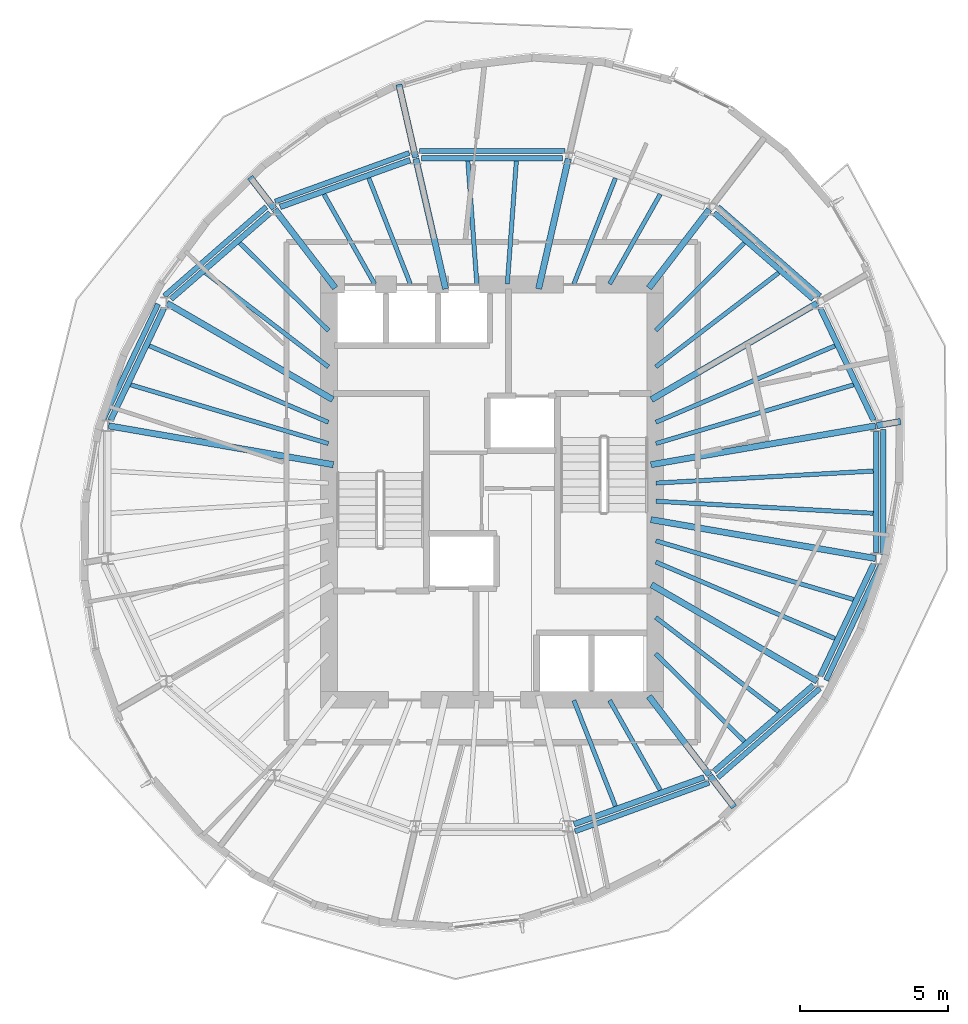
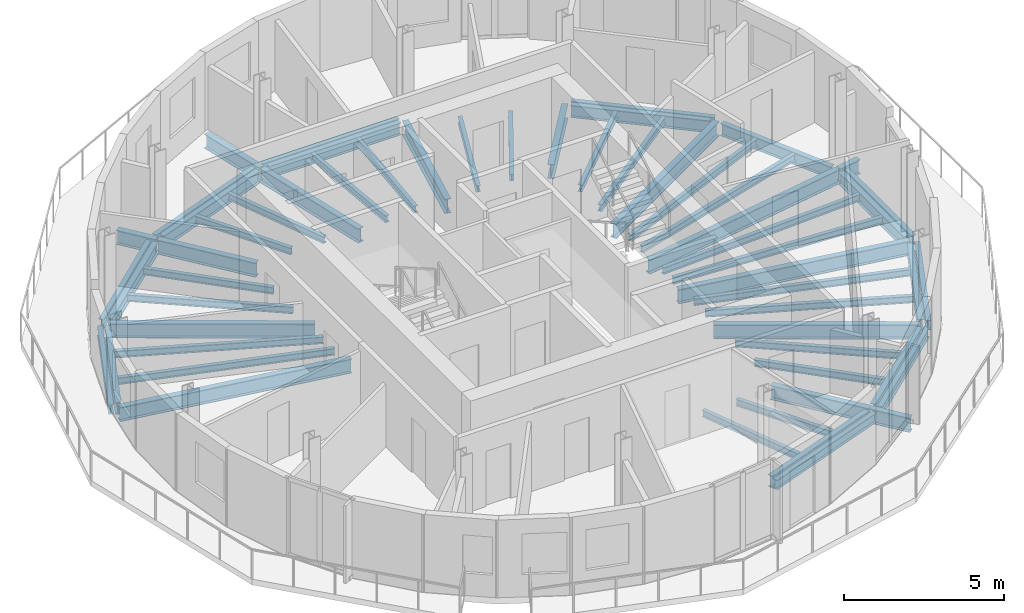
# One storey, part 2 of 9: 56 beams.
"""IFC4 building model written with IfcOpenShell, lengths in metres."""

from ifc_helpers import new_model, si_unit, direction, frame, origin, origin_2d, place, context, subcontext, project, spatial, i_section, extrude, material, material_profile, profile_set, type_object, element, save


model = new_model("IFC4")

# Units and contexts
model_context = context("Model", 3, precision=1e-05, world=origin(), true_north=direction((0.0, 1.0)))
body_context = subcontext(model_context, "Body", "Model", "MODEL_VIEW")
ifc_project = project(units=[si_unit("LENGTHUNIT", "METRE"), si_unit("AREAUNIT", "SQUARE_METRE"), si_unit("VOLUMEUNIT", "CUBIC_METRE"), si_unit("PLANEANGLEUNIT", "RADIAN"), si_unit("MASSUNIT", "GRAM", prefix="KILO")], contexts=[model_context])

# Site, building, storey
site_placement = place(None, origin())
site = spatial("IfcSite", under=ifc_project, at=site_placement, CompositionType="ELEMENT")
building_placement = place(site_placement, origin())
building = spatial("IfcBuilding", under=site, at=building_placement, Name="Veldorim Arch Residences", CompositionType="ELEMENT")
storey_placement = place(building_placement, frame((0.0, 0.0, 233.43994140625)))
storey = spatial("IfcBuildingStorey", under=building, at=storey_placement, Name="L70", CompositionType="ELEMENT", Elevation=233.43994140625)

# Beams
ifc_material_1 = material(Name="Steel S355", Category="steel")
ifc_material_profile_1 = material_profile(ifc_material_1, i_section(OverallWidth=0.2119140625, OverallDepth=0.54443359375, WebThickness=0.0126953125, FlangeThickness=0.021240234375, at=origin_2d()), Name="UB533x210x122")
ifc_profile_set_1 = profile_set([ifc_material_profile_1], Name="Steel S355")
beam_type_1 = type_object("IfcBeamType", Name="Structural Steel Beam UB533x210x122", PredefinedType="BEAM", material=ifc_profile_set_1)
beam_1_placement = place(storey_placement, frame((37.352294921875, 24.92578125, -0.51220703125), z_axis=(0.985364974081, 0.170457818401, 0.0), x_axis=(-0.170457818401, 0.985364974081, 0.0)))
element("IfcBeam", 1, at=beam_1_placement, inside=storey, type_object=beam_type_1, Name="L70 radial floor girder 01", PredefinedType="BEAM", context=body_context, shape_type="SweptSolid", body=[
    extrude(i_section(OverallWidth=0.2119140625, OverallDepth=0.54443359375, WebThickness=0.0126953125, FlangeThickness=0.021240234375, at=origin_2d()), origin(), (0.0, 0.0, 1.0), 7.68701171875),
])
beam_2_placement = place(storey_placement, frame((44.966064453125, 26.242919921875, -0.51220703125), z_axis=(0.985345661769, 0.170569419394, 0.0), x_axis=(-0.170569419394, 0.985345661769, 0.0)))
element("IfcBeam", 2, at=beam_2_placement, inside=storey, type_object=beam_type_1, Name="L70 radial edge cantilever girder 01", PredefinedType="BEAM", context=body_context, shape_type="SweptSolid", body=[
    extrude(i_section(OverallWidth=0.2119140625, OverallDepth=0.54443359375, WebThickness=0.0126953125, FlangeThickness=0.021240234375, at=origin_2d()), origin(), (0.0, 0.0, 1.0), 0.814453125),
])
beam_3_placement = place(storey_placement, frame((37.370361328125, 27.12060546875, -0.51220703125), z_axis=(0.864595736304, 0.502468121142, 0.0), x_axis=(-0.502468121142, 0.864595736304, 0.0)))
element("IfcBeam", 3, at=beam_3_placement, inside=storey, type_object=beam_type_1, Name="L70 radial floor girder 02", PredefinedType="BEAM", context=body_context, shape_type="SweptSolid", body=[
    extrude(i_section(OverallWidth=0.2119140625, OverallDepth=0.54443359375, WebThickness=0.0126953125, FlangeThickness=0.021240234375, at=origin_2d()), origin(), (0.0, 0.0, 1.0), 6.462646484375),
])
beam_4_placement = place(storey_placement, frame((37.28662109375, 30.881103515625, -0.51220703125), z_axis=(0.609258442308, 0.792971721108, 0.0), x_axis=(-0.792971721108, 0.609258442308, 0.0)))
element("IfcBeam", 4, at=beam_4_placement, inside=storey, type_object=beam_type_1, Name="L70 radial floor girder 03", PredefinedType="BEAM", context=body_context, shape_type="SweptSolid", body=[
    extrude(i_section(OverallWidth=0.2119140625, OverallDepth=0.54443359375, WebThickness=0.0126953125, FlangeThickness=0.021240234375, at=origin_2d()), origin(), (0.0, 0.0, 1.0), 3.339599609375),
])
for number, where, z_axis, x_axis, name in (
    (5, (33.567626953125, 30.853759765625, -0.51220703125), (0.222952976993, 0.97482920045, 0.0), (-0.97482920045, 0.222952976993, 0.0), "L70 radial floor girder 04"),
    (6, (30.432373046875, 30.853759765625, -0.51220703125), (-0.222952976993, 0.97482920045, 0.0), (-0.97482920045, -0.222952976993, 0.0), "L70 radial floor girder 05"),
):
    element("IfcBeam", number, at=place(storey_placement, frame(where, z_axis=z_axis, x_axis=x_axis)), inside=storey, type_object=beam_type_1, Name=name, PredefinedType="BEAM", context=body_context, shape_type="SweptSolid", body=[
        extrude(i_section(OverallWidth=0.2119140625, OverallDepth=0.54443359375, WebThickness=0.0126953125, FlangeThickness=0.021240234375, at=origin_2d()), origin(), (0.0, 0.0, 1.0), 4.49951171875),
    ])
beam_5_placement = place(storey_placement, frame((29.42041015625, 35.27880859375, -0.51220703125), z_axis=(-0.222961198563, 0.97482732006, 0.0), x_axis=(-0.97482732006, -0.222961198563, 0.0)))
element("IfcBeam", 7, at=beam_5_placement, inside=storey, type_object=beam_type_1, Name="L70 radial edge cantilever girder 05", PredefinedType="BEAM", context=body_context, shape_type="SweptSolid", body=[
    extrude(i_section(OverallWidth=0.2119140625, OverallDepth=0.54443359375, WebThickness=0.0126953125, FlangeThickness=0.021240234375, at=origin_2d()), origin(), (0.0, 0.0, 1.0), 2.52734375),
])
beam_6_placement = place(storey_placement, frame((26.71337890625, 30.881103515625, -0.51220703125), z_axis=(-0.609258442308, 0.792971721108, 0.0), x_axis=(-0.792971721108, -0.609258442308, 0.0)))
element("IfcBeam", 8, at=beam_6_placement, inside=storey, type_object=beam_type_1, Name="L70 radial floor girder 06", PredefinedType="BEAM", context=body_context, shape_type="SweptSolid", body=[
    extrude(i_section(OverallWidth=0.2119140625, OverallDepth=0.54443359375, WebThickness=0.0126953125, FlangeThickness=0.021240234375, at=origin_2d()), origin(), (0.0, 0.0, 1.0), 3.339599609375),
])
beam_7_placement = place(storey_placement, frame((24.654296875, 33.561279296875, -0.51220703125), z_axis=(-0.609258771795, 0.792971467955, 0.0), x_axis=(-0.792971467955, -0.609258771795, 0.0)))
element("IfcBeam", 9, at=beam_7_placement, inside=storey, type_object=beam_type_1, Name="L70 radial edge cantilever girder 06", PredefinedType="BEAM", context=body_context, shape_type="SweptSolid", body=[
    extrude(i_section(OverallWidth=0.2119140625, OverallDepth=0.54443359375, WebThickness=0.0126953125, FlangeThickness=0.021240234375, at=origin_2d()), origin(), (0.0, 0.0, 1.0), 1.33154296875),
])
beam_8_placement = place(storey_placement, frame((26.629638671875, 27.12060546875, -0.51220703125), z_axis=(-0.864595736304, 0.502468121142, 0.0), x_axis=(-0.502468121142, -0.864595736304, 0.0)))
element("IfcBeam", 10, at=beam_8_placement, inside=storey, type_object=beam_type_1, Name="L70 radial floor girder 07", PredefinedType="BEAM", context=body_context, shape_type="SweptSolid", body=[
    extrude(i_section(OverallWidth=0.2119140625, OverallDepth=0.54443359375, WebThickness=0.0126953125, FlangeThickness=0.021240234375, at=origin_2d()), origin(), (0.0, 0.0, 1.0), 6.462646484375),
])
beam_9_placement = place(storey_placement, frame((26.647705078125, 24.92578125, -0.51220703125), z_axis=(-0.985364974081, 0.170457818401, 0.0), x_axis=(-0.170457818401, -0.985364974081, 0.0)))
element("IfcBeam", 11, at=beam_9_placement, inside=storey, type_object=beam_type_1, Name="L70 radial floor girder 08", PredefinedType="BEAM", context=body_context, shape_type="SweptSolid", body=[
    extrude(i_section(OverallWidth=0.2119140625, OverallDepth=0.54443359375, WebThickness=0.0126953125, FlangeThickness=0.021240234375, at=origin_2d()), origin(), (0.0, 0.0, 1.0), 7.68701171875),
])
beam_10_placement = place(storey_placement, frame((37.28662109375, 17.118896484375, -0.51220703125), z_axis=(0.609258442308, -0.792971721108, 0.0), x_axis=(0.792971721108, 0.609258442308, 0.0)))
element("IfcBeam", 12, at=beam_10_placement, inside=storey, type_object=beam_type_1, Name="L70 radial floor girder 14", PredefinedType="BEAM", context=body_context, shape_type="SweptSolid", body=[
    extrude(i_section(OverallWidth=0.2119140625, OverallDepth=0.54443359375, WebThickness=0.0126953125, FlangeThickness=0.021240234375, at=origin_2d()), origin(), (0.0, 0.0, 1.0), 3.339599609375),
])
beam_11_placement = place(storey_placement, frame((39.345703125, 14.438720703125, -0.51220703125), z_axis=(0.609258771795, -0.792971467955, 0.0), x_axis=(0.792971467955, 0.609258771795, 0.0)))
element("IfcBeam", 13, at=beam_11_placement, inside=storey, type_object=beam_type_1, Name="L70 radial edge cantilever girder 14", PredefinedType="BEAM", context=body_context, shape_type="SweptSolid", body=[
    extrude(i_section(OverallWidth=0.2119140625, OverallDepth=0.54443359375, WebThickness=0.0126953125, FlangeThickness=0.021240234375, at=origin_2d()), origin(), (0.0, 0.0, 1.0), 1.33154296875),
])
beam_12_placement = place(storey_placement, frame((37.370361328125, 20.87939453125, -0.51220703125), z_axis=(0.864595736304, -0.502468121142, 0.0), x_axis=(0.502468121142, 0.864595736304, 0.0)))
element("IfcBeam", 14, at=beam_12_placement, inside=storey, type_object=beam_type_1, Name="L70 radial floor girder 15", PredefinedType="BEAM", context=body_context, shape_type="SweptSolid", body=[
    extrude(i_section(OverallWidth=0.2119140625, OverallDepth=0.54443359375, WebThickness=0.0126953125, FlangeThickness=0.021240234375, at=origin_2d()), origin(), (0.0, 0.0, 1.0), 6.462646484375),
])
beam_13_placement = place(storey_placement, frame((37.352294921875, 23.07421875, -0.51220703125), z_axis=(0.985364974081, -0.170457818401, 0.0), x_axis=(0.170457818401, 0.985364974081, 0.0)))
element("IfcBeam", 15, at=beam_13_placement, inside=storey, type_object=beam_type_1, Name="L70 radial floor girder 16", PredefinedType="BEAM", context=body_context, shape_type="SweptSolid", body=[
    extrude(i_section(OverallWidth=0.2119140625, OverallDepth=0.54443359375, WebThickness=0.0126953125, FlangeThickness=0.021240234375, at=origin_2d()), origin(), (0.0, 0.0, 1.0), 7.68701171875),
])
ifc_material_2 = material(Name="Steel S355", Category="steel")
ifc_material_profile_2 = material_profile(ifc_material_2, i_section(OverallWidth=0.146484375, OverallDepth=0.256103515625, WebThickness=0.00634765625, FlangeThickness=0.010986328125, at=origin_2d()), Name="UB254x146x37")
ifc_profile_set_2 = profile_set([ifc_material_profile_2], Name="Steel S355")
beam_type_2 = type_object("IfcBeamType", Name="Structural Steel Joist UB254x146x37", PredefinedType="JOIST", material=ifc_profile_set_2)
beam_14_placement = place(storey_placement, frame((37.519287109375, 25.639404296875, -0.367919921875), z_axis=(0.958594432792, 0.284774846889, 0.0), x_axis=(-0.284774846889, 0.958594432792, 0.0)))
element("IfcBeam", 16, at=beam_14_placement, inside=storey, type_object=beam_type_2, Name="L70 secondary radial floor joist 01-1", PredefinedType="JOIST", context=body_context, shape_type="SweptSolid", body=[
    extrude(i_section(OverallWidth=0.146484375, OverallDepth=0.256103515625, WebThickness=0.00634765625, FlangeThickness=0.010986328125, at=origin_2d()), origin(), (0.0, 0.0, 1.0), 6.949462890625),
])
beam_15_placement = place(storey_placement, frame((37.518310546875, 26.355712890625, -0.367919921875), z_axis=(0.919725161652, 0.392562895629, 0.0), x_axis=(-0.392562895629, 0.919725161652, 0.0)))
element("IfcBeam", 17, at=beam_15_placement, inside=storey, type_object=beam_type_2, Name="L70 secondary radial floor joist 01-2", PredefinedType="JOIST", context=body_context, shape_type="SweptSolid", body=[
    extrude(i_section(OverallWidth=0.146484375, OverallDepth=0.256103515625, WebThickness=0.00634765625, FlangeThickness=0.010986328125, at=origin_2d()), origin(), (0.0, 0.0, 1.0), 6.5625),
])
beam_16_placement = place(storey_placement, frame((37.515869140625, 28.222900390625, -0.367919921875), z_axis=(0.794013672216, 0.607899899929, 0.0), x_axis=(-0.607899899929, 0.794013672216, 0.0)))
element("IfcBeam", 18, at=beam_16_placement, inside=storey, type_object=beam_type_2, Name="L70 secondary radial floor joist 02-1", PredefinedType="JOIST", context=body_context, shape_type="SweptSolid", body=[
    extrude(i_section(OverallWidth=0.146484375, OverallDepth=0.256103515625, WebThickness=0.00634765625, FlangeThickness=0.010986328125, at=origin_2d()), origin(), (0.0, 0.0, 1.0), 5.217041015625),
])
beam_17_placement = place(storey_placement, frame((37.51416015625, 29.44775390625, -0.367919921875), z_axis=(0.711396725432, 0.702790650937, 0.0), x_axis=(-0.702790650937, 0.711396725432, 0.0)))
element("IfcBeam", 19, at=beam_17_placement, inside=storey, type_object=beam_type_2, Name="L70 secondary radial floor joist 02-2", PredefinedType="JOIST", context=body_context, shape_type="SweptSolid", body=[
    extrude(i_section(OverallWidth=0.146484375, OverallDepth=0.256103515625, WebThickness=0.00634765625, FlangeThickness=0.010986328125, at=origin_2d()), origin(), (0.0, 0.0, 1.0), 4.198486328125),
])
beam_18_placement = place(storey_placement, frame((35.960205078125, 31.017333984375, -0.367919921875), z_axis=(0.491452469585, 0.870904397818, 0.0), x_axis=(-0.870904397818, 0.491452469585, 0.0)))
element("IfcBeam", 20, at=beam_18_placement, inside=storey, type_object=beam_type_2, Name="L70 secondary radial floor joist 03-1", PredefinedType="JOIST", context=body_context, shape_type="SweptSolid", body=[
    extrude(i_section(OverallWidth=0.146484375, OverallDepth=0.256103515625, WebThickness=0.00634765625, FlangeThickness=0.010986328125, at=origin_2d()), origin(), (0.0, 0.0, 1.0), 3.472412109375),
])
beam_19_placement = place(storey_placement, frame((34.75634765625, 31.0185546875, -0.367919921875), z_axis=(0.365581383042, 0.930779379001, 0.0), x_axis=(-0.930779379001, 0.365581383042, 0.0)))
element("IfcBeam", 21, at=beam_19_placement, inside=storey, type_object=beam_type_2, Name="L70 secondary radial floor joist 03-2", PredefinedType="JOIST", context=body_context, shape_type="SweptSolid", body=[
    extrude(i_section(OverallWidth=0.146484375, OverallDepth=0.256103515625, WebThickness=0.00634765625, FlangeThickness=0.010986328125, at=origin_2d()), origin(), (0.0, 0.0, 1.0), 3.83056640625),
])
for number, where, z_axis, x_axis, name in (
    (22, (32.513916015625, 31.02001953125, -0.367919921875), (0.072985625899, 0.997332992742, 0.0), (-0.997332992742, 0.072985625899, 0.0), "L70 secondary radial floor joist 04-1"),
    (23, (31.486083984375, 31.02001953125, -0.367919921875), (-0.072985625899, 0.997332992742, 0.0), (-0.997332992742, -0.072985625899, 0.0), "L70 secondary radial floor joist 04-2"),
):
    element("IfcBeam", number, at=place(storey_placement, frame(where, z_axis=z_axis, x_axis=x_axis)), inside=storey, type_object=beam_type_2, Name=name, PredefinedType="JOIST", context=body_context, shape_type="SweptSolid", body=[
        extrude(i_section(OverallWidth=0.146484375, OverallDepth=0.256103515625, WebThickness=0.00634765625, FlangeThickness=0.010986328125, at=origin_2d()), origin(), (0.0, 0.0, 1.0), 4.151123046875),
    ])
beam_20_placement = place(storey_placement, frame((29.24365234375, 31.0185546875, -0.367919921875), z_axis=(-0.365581383042, 0.930779379001, 0.0), x_axis=(-0.930779379001, -0.365581383042, 0.0)))
element("IfcBeam", 24, at=beam_20_placement, inside=storey, type_object=beam_type_2, Name="L70 secondary radial floor joist 05-1", PredefinedType="JOIST", context=body_context, shape_type="SweptSolid", body=[
    extrude(i_section(OverallWidth=0.146484375, OverallDepth=0.256103515625, WebThickness=0.00634765625, FlangeThickness=0.010986328125, at=origin_2d()), origin(), (0.0, 0.0, 1.0), 3.83056640625),
])
beam_21_placement = place(storey_placement, frame((28.039794921875, 31.017333984375, -0.367919921875), z_axis=(-0.491452469585, 0.870904397818, 0.0), x_axis=(-0.870904397818, -0.491452469585, 0.0)))
element("IfcBeam", 25, at=beam_21_placement, inside=storey, type_object=beam_type_2, Name="L70 secondary radial floor joist 05-2", PredefinedType="JOIST", context=body_context, shape_type="SweptSolid", body=[
    extrude(i_section(OverallWidth=0.146484375, OverallDepth=0.256103515625, WebThickness=0.00634765625, FlangeThickness=0.010986328125, at=origin_2d()), origin(), (0.0, 0.0, 1.0), 3.472412109375),
])
beam_22_placement = place(storey_placement, frame((26.48583984375, 29.44775390625, -0.367919921875), z_axis=(-0.711396725432, 0.702790650937, 0.0), x_axis=(-0.702790650937, -0.711396725432, 0.0)))
element("IfcBeam", 26, at=beam_22_placement, inside=storey, type_object=beam_type_2, Name="L70 secondary radial floor joist 06-1", PredefinedType="JOIST", context=body_context, shape_type="SweptSolid", body=[
    extrude(i_section(OverallWidth=0.146484375, OverallDepth=0.256103515625, WebThickness=0.00634765625, FlangeThickness=0.010986328125, at=origin_2d()), origin(), (0.0, 0.0, 1.0), 4.198486328125),
])
beam_23_placement = place(storey_placement, frame((26.484130859375, 28.222900390625, -0.367919921875), z_axis=(-0.794013672216, 0.607899899929, 0.0), x_axis=(-0.607899899929, -0.794013672216, 0.0)))
element("IfcBeam", 27, at=beam_23_placement, inside=storey, type_object=beam_type_2, Name="L70 secondary radial floor joist 06-2", PredefinedType="JOIST", context=body_context, shape_type="SweptSolid", body=[
    extrude(i_section(OverallWidth=0.146484375, OverallDepth=0.256103515625, WebThickness=0.00634765625, FlangeThickness=0.010986328125, at=origin_2d()), origin(), (0.0, 0.0, 1.0), 5.217041015625),
])
beam_24_placement = place(storey_placement, frame((26.481689453125, 26.355712890625, -0.367919921875), z_axis=(-0.919725161652, 0.392562895629, 0.0), x_axis=(-0.392562895629, -0.919725161652, 0.0)))
element("IfcBeam", 28, at=beam_24_placement, inside=storey, type_object=beam_type_2, Name="L70 secondary radial floor joist 07-1", PredefinedType="JOIST", context=body_context, shape_type="SweptSolid", body=[
    extrude(i_section(OverallWidth=0.146484375, OverallDepth=0.256103515625, WebThickness=0.00634765625, FlangeThickness=0.010986328125, at=origin_2d()), origin(), (0.0, 0.0, 1.0), 6.5625),
])
beam_25_placement = place(storey_placement, frame((26.480712890625, 25.639404296875, -0.367919921875), z_axis=(-0.958594432792, 0.284774846889, 0.0), x_axis=(-0.284774846889, -0.958594432792, 0.0)))
element("IfcBeam", 29, at=beam_25_placement, inside=storey, type_object=beam_type_2, Name="L70 secondary radial floor joist 07-2", PredefinedType="JOIST", context=body_context, shape_type="SweptSolid", body=[
    extrude(i_section(OverallWidth=0.146484375, OverallDepth=0.256103515625, WebThickness=0.00634765625, FlangeThickness=0.010986328125, at=origin_2d()), origin(), (0.0, 0.0, 1.0), 6.949462890625),
])
beam_26_placement = place(storey_placement, frame((34.75634765625, 16.9814453125, -0.367919921875), z_axis=(0.365581383042, -0.930779379001, 0.0), x_axis=(0.930779379001, 0.365581383042, 0.0)))
element("IfcBeam", 30, at=beam_26_placement, inside=storey, type_object=beam_type_2, Name="L70 secondary radial floor joist 13-1", PredefinedType="JOIST", context=body_context, shape_type="SweptSolid", body=[
    extrude(i_section(OverallWidth=0.146484375, OverallDepth=0.256103515625, WebThickness=0.00634765625, FlangeThickness=0.010986328125, at=origin_2d()), origin(), (0.0, 0.0, 1.0), 3.83056640625),
])
beam_27_placement = place(storey_placement, frame((35.960205078125, 16.982666015625, -0.367919921875), z_axis=(0.491452469585, -0.870904397818, 0.0), x_axis=(0.870904397818, 0.491452469585, 0.0)))
element("IfcBeam", 31, at=beam_27_placement, inside=storey, type_object=beam_type_2, Name="L70 secondary radial floor joist 13-2", PredefinedType="JOIST", context=body_context, shape_type="SweptSolid", body=[
    extrude(i_section(OverallWidth=0.146484375, OverallDepth=0.256103515625, WebThickness=0.00634765625, FlangeThickness=0.010986328125, at=origin_2d()), origin(), (0.0, 0.0, 1.0), 3.472412109375),
])
beam_28_placement = place(storey_placement, frame((37.51416015625, 18.55224609375, -0.367919921875), z_axis=(0.711396725432, -0.702790650937, 0.0), x_axis=(0.702790650937, 0.711396725432, 0.0)))
element("IfcBeam", 32, at=beam_28_placement, inside=storey, type_object=beam_type_2, Name="L70 secondary radial floor joist 14-1", PredefinedType="JOIST", context=body_context, shape_type="SweptSolid", body=[
    extrude(i_section(OverallWidth=0.146484375, OverallDepth=0.256103515625, WebThickness=0.00634765625, FlangeThickness=0.010986328125, at=origin_2d()), origin(), (0.0, 0.0, 1.0), 4.198486328125),
])
beam_29_placement = place(storey_placement, frame((37.515869140625, 19.777099609375, -0.367919921875), z_axis=(0.794013672216, -0.607899899929, 0.0), x_axis=(0.607899899929, 0.794013672216, 0.0)))
element("IfcBeam", 33, at=beam_29_placement, inside=storey, type_object=beam_type_2, Name="L70 secondary radial floor joist 14-2", PredefinedType="JOIST", context=body_context, shape_type="SweptSolid", body=[
    extrude(i_section(OverallWidth=0.146484375, OverallDepth=0.256103515625, WebThickness=0.00634765625, FlangeThickness=0.010986328125, at=origin_2d()), origin(), (0.0, 0.0, 1.0), 5.217041015625),
])
beam_30_placement = place(storey_placement, frame((37.518310546875, 21.644287109375, -0.367919921875), z_axis=(0.919725161652, -0.392562895629, 0.0), x_axis=(0.392562895629, 0.919725161652, 0.0)))
element("IfcBeam", 34, at=beam_30_placement, inside=storey, type_object=beam_type_2, Name="L70 secondary radial floor joist 15-1", PredefinedType="JOIST", context=body_context, shape_type="SweptSolid", body=[
    extrude(i_section(OverallWidth=0.146484375, OverallDepth=0.256103515625, WebThickness=0.00634765625, FlangeThickness=0.010986328125, at=origin_2d()), origin(), (0.0, 0.0, 1.0), 6.5625),
])
beam_31_placement = place(storey_placement, frame((37.519287109375, 22.360595703125, -0.367919921875), z_axis=(0.958594432792, -0.284774846889, 0.0), x_axis=(0.284774846889, 0.958594432792, 0.0)))
element("IfcBeam", 35, at=beam_31_placement, inside=storey, type_object=beam_type_2, Name="L70 secondary radial floor joist 15-2", PredefinedType="JOIST", context=body_context, shape_type="SweptSolid", body=[
    extrude(i_section(OverallWidth=0.146484375, OverallDepth=0.256103515625, WebThickness=0.00634765625, FlangeThickness=0.010986328125, at=origin_2d()), origin(), (0.0, 0.0, 1.0), 6.949462890625),
])
for number, where, z_axis, x_axis, name in (
    (36, (37.52001953125, 23.6943359375, -0.367919921875), (0.998472000884, -0.055259962464, 0.0), (0.055259962464, 0.998472000884, 0.0), "L70 secondary radial floor joist 16-1"),
    (37, (37.52001953125, 24.3056640625, -0.367919921875), (0.998472000884, 0.055259962464, 0.0), (-0.055259962464, 0.998472000884, 0.0), "L70 secondary radial floor joist 16-2"),
):
    element("IfcBeam", number, at=place(storey_placement, frame(where, z_axis=z_axis, x_axis=x_axis)), inside=storey, type_object=beam_type_2, Name=name, PredefinedType="JOIST", context=body_context, shape_type="SweptSolid", body=[
        extrude(i_section(OverallWidth=0.146484375, OverallDepth=0.256103515625, WebThickness=0.00634765625, FlangeThickness=0.010986328125, at=origin_2d()), origin(), (0.0, 0.0, 1.0), 7.33837890625),
    ])
ifc_material_3 = material(Name="Steel S355", Category="steel")
ifc_material_profile_3 = material_profile(ifc_material_3, i_section(OverallWidth=0.172119140625, OverallDepth=0.35791015625, WebThickness=0.008056640625, FlangeThickness=0.012939453125, at=origin_2d()), Name="UB356x171x57")
ifc_profile_set_3 = profile_set([ifc_material_profile_3], Name="Steel S355")
beam_type_3 = type_object("IfcBeamType", Name="Structural Steel Spandrel UB356x171x57", PredefinedType="SPANDREL", material=ifc_profile_set_3)
beam_32_placement = place(storey_placement, frame((43.05078125, 30.614013671875, -0.43896484375), z_axis=(-0.752901089301, 0.658133686821, 0.0), x_axis=(-0.658133686821, -0.752901089301, 0.0)))
element("IfcBeam", 38, at=beam_32_placement, inside=storey, type_object=beam_type_3, Name="L70 perimeter chord spandrel beam 02", PredefinedType="SPANDREL", context=body_context, shape_type="SweptSolid", body=[
    extrude(i_section(OverallWidth=0.172119140625, OverallDepth=0.35791015625, WebThickness=0.008056640625, FlangeThickness=0.012939453125, at=origin_2d()), origin(), (0.0, 0.0, 1.0), 4.567626953125),
])
beam_33_placement = place(storey_placement, frame((34.453125, 35.493408203125, -0.43896484375), z_axis=(-1.0, 0.0, 0.0), x_axis=(0.0, -1.0, 0.0)))
element("IfcBeam", 39, at=beam_33_placement, inside=storey, type_object=beam_type_3, Name="L70 perimeter chord spandrel beam 04", PredefinedType="SPANDREL", context=body_context, shape_type="SweptSolid", body=[
    extrude(i_section(OverallWidth=0.172119140625, OverallDepth=0.35791015625, WebThickness=0.008056640625, FlangeThickness=0.012939453125, at=origin_2d()), origin(), (0.0, 0.0, 1.0), 4.90625),
])
beam_34_placement = place(storey_placement, frame((29.206298828125, 35.43359375, -0.43896484375), z_axis=(-0.940181197783, -0.340674794099, 0.0), x_axis=(0.340674794099, -0.940181197783, 0.0)))
element("IfcBeam", 40, at=beam_34_placement, inside=storey, type_object=beam_type_3, Name="L70 perimeter chord spandrel beam 05", PredefinedType="SPANDREL", context=body_context, shape_type="SweptSolid", body=[
    extrude(i_section(OverallWidth=0.172119140625, OverallDepth=0.35791015625, WebThickness=0.008056640625, FlangeThickness=0.012939453125, at=origin_2d()), origin(), (0.0, 0.0, 1.0), 4.80859375),
])
beam_35_placement = place(storey_placement, frame((24.38818359375, 33.6201171875, -0.43896484375), z_axis=(-0.752901089301, -0.658133686821, 0.0), x_axis=(0.658133686821, -0.752901089301, 0.0)))
element("IfcBeam", 41, at=beam_35_placement, inside=storey, type_object=beam_type_3, Name="L70 perimeter chord spandrel beam 06", PredefinedType="SPANDREL", context=body_context, shape_type="SweptSolid", body=[
    extrude(i_section(OverallWidth=0.172119140625, OverallDepth=0.35791015625, WebThickness=0.008056640625, FlangeThickness=0.012939453125, at=origin_2d()), origin(), (0.0, 0.0, 1.0), 4.567626953125),
])
beam_36_placement = place(storey_placement, frame((20.741943359375, 30.33984375, -0.43896484375), z_axis=(-0.428453398876, -0.903563879862, 0.0), x_axis=(0.903563879862, -0.428453398876, 0.0)))
element("IfcBeam", 42, at=beam_36_placement, inside=storey, type_object=beam_type_3, Name="L70 perimeter chord spandrel beam 07", PredefinedType="SPANDREL", context=body_context, shape_type="SweptSolid", body=[
    extrude(i_section(OverallWidth=0.172119140625, OverallDepth=0.35791015625, WebThickness=0.008056640625, FlangeThickness=0.012939453125, at=origin_2d()), origin(), (0.0, 0.0, 1.0), 4.31689453125),
])
beam_37_placement = place(storey_placement, frame((34.793701171875, 12.56640625, -0.43896484375), z_axis=(0.940181197783, 0.340674794099, 0.0), x_axis=(-0.340674794099, 0.940181197783, 0.0)))
element("IfcBeam", 43, at=beam_37_placement, inside=storey, type_object=beam_type_3, Name="L70 perimeter chord spandrel beam 13", PredefinedType="SPANDREL", context=body_context, shape_type="SweptSolid", body=[
    extrude(i_section(OverallWidth=0.172119140625, OverallDepth=0.35791015625, WebThickness=0.008056640625, FlangeThickness=0.012939453125, at=origin_2d()), origin(), (0.0, 0.0, 1.0), 4.80859375),
])
beam_38_placement = place(storey_placement, frame((39.61181640625, 14.3798828125, -0.43896484375), z_axis=(0.752901089301, 0.658133686821, 0.0), x_axis=(-0.658133686821, 0.752901089301, 0.0)))
element("IfcBeam", 44, at=beam_38_placement, inside=storey, type_object=beam_type_3, Name="L70 perimeter chord spandrel beam 14", PredefinedType="SPANDREL", context=body_context, shape_type="SweptSolid", body=[
    extrude(i_section(OverallWidth=0.172119140625, OverallDepth=0.35791015625, WebThickness=0.008056640625, FlangeThickness=0.012939453125, at=origin_2d()), origin(), (0.0, 0.0, 1.0), 4.567626953125),
])
beam_39_placement = place(storey_placement, frame((43.258056640625, 17.66015625, -0.43896484375), z_axis=(0.428453398876, 0.903563879862, 0.0), x_axis=(-0.903563879862, 0.428453398876, 0.0)))
element("IfcBeam", 45, at=beam_39_placement, inside=storey, type_object=beam_type_3, Name="L70 perimeter chord spandrel beam 15", PredefinedType="SPANDREL", context=body_context, shape_type="SweptSolid", body=[
    extrude(i_section(OverallWidth=0.172119140625, OverallDepth=0.35791015625, WebThickness=0.008056640625, FlangeThickness=0.012939453125, at=origin_2d()), origin(), (0.0, 0.0, 1.0), 4.31689453125),
])
beam_40_placement = place(storey_placement, frame((45.182861328125, 21.89501953125, -0.43896484375), z_axis=(0.0, 1.0, 0.0), x_axis=(-1.0, 0.0, 0.0)))
element("IfcBeam", 46, at=beam_40_placement, inside=storey, type_object=beam_type_3, Name="L70 perimeter chord spandrel beam 16", PredefinedType="SPANDREL", context=body_context, shape_type="SweptSolid", body=[
    extrude(i_section(OverallWidth=0.172119140625, OverallDepth=0.35791015625, WebThickness=0.008056640625, FlangeThickness=0.012939453125, at=origin_2d()), origin(), (0.0, 0.0, 1.0), 4.2099609375),
])
ifc_material_4 = material(Name="Steel S355", Category="steel")
ifc_material_profile_4 = material_profile(ifc_material_4, i_section(OverallWidth=0.19140625, OverallDepth=0.4599609375, WebThickness=0.010009765625, FlangeThickness=0.01611328125, at=origin_2d()), Name="UB457x191x82")
ifc_profile_set_4 = profile_set([ifc_material_profile_4], Name="Steel S355")
beam_type_4 = type_object("IfcBeamType", Name="Structural Steel Spandrel UB457x191x82", PredefinedType="SPANDREL", material=ifc_profile_set_4)
beam_41_placement = place(storey_placement, frame((44.860595703125, 26.419677734375, -0.469970703125), z_axis=(-0.42997887291, 0.902838949564, 0.0), x_axis=(-0.902838949564, -0.42997887291, 0.0)))
element("IfcBeam", 47, at=beam_41_placement, inside=storey, type_object=beam_type_4, Name="L70 perimeter ring tie beam 01", PredefinedType="SPANDREL", context=body_context, shape_type="SweptSolid", body=[
    extrude(i_section(OverallWidth=0.19140625, OverallDepth=0.4599609375, WebThickness=0.010009765625, FlangeThickness=0.01611328125, at=origin_2d()), origin(), (0.0, 0.0, 1.0), 4.1845703125),
])
beam_42_placement = place(storey_placement, frame((42.824951171875, 30.5087890625, -0.469970703125), z_axis=(-0.754578219063, 0.656210112171, 0.0), x_axis=(-0.656210112171, -0.754578219063, 0.0)))
element("IfcBeam", 48, at=beam_42_placement, inside=storey, type_object=beam_type_4, Name="L70 perimeter ring tie beam 02", PredefinedType="SPANDREL", context=body_context, shape_type="SweptSolid", body=[
    extrude(i_section(OverallWidth=0.19140625, OverallDepth=0.4599609375, WebThickness=0.010009765625, FlangeThickness=0.01611328125, at=origin_2d()), origin(), (0.0, 0.0, 1.0), 4.427734375),
])
beam_43_placement = place(storey_placement, frame((34.375732421875, 35.259521484375, -0.469970703125), z_axis=(-1.0, 0.0, 0.0), x_axis=(0.0, -1.0, 0.0)))
element("IfcBeam", 49, at=beam_43_placement, inside=storey, type_object=beam_type_4, Name="L70 perimeter ring tie beam 04", PredefinedType="SPANDREL", context=body_context, shape_type="SweptSolid", body=[
    extrude(i_section(OverallWidth=0.19140625, OverallDepth=0.4599609375, WebThickness=0.010009765625, FlangeThickness=0.01611328125, at=origin_2d()), origin(), (0.0, 0.0, 1.0), 4.75146484375),
])
beam_44_placement = place(storey_placement, frame((29.237060546875, 35.19189453125, -0.469970703125), z_axis=(-0.940799194754, -0.338964415757, 0.0), x_axis=(0.338964415757, -0.940799194754, 0.0)))
element("IfcBeam", 50, at=beam_44_placement, inside=storey, type_object=beam_type_4, Name="L70 perimeter ring tie beam 05", PredefinedType="SPANDREL", context=body_context, shape_type="SweptSolid", body=[
    extrude(i_section(OverallWidth=0.19140625, OverallDepth=0.4599609375, WebThickness=0.010009765625, FlangeThickness=0.01611328125, at=origin_2d()), origin(), (0.0, 0.0, 1.0), 4.65869140625),
])
beam_45_placement = place(storey_placement, frame((24.51611328125, 33.414306640625, -0.469970703125), z_axis=(-0.754578219063, -0.656210112171, 0.0), x_axis=(0.656210112171, -0.754578219063, 0.0)))
element("IfcBeam", 51, at=beam_45_placement, inside=storey, type_object=beam_type_4, Name="L70 perimeter ring tie beam 06", PredefinedType="SPANDREL", context=body_context, shape_type="SweptSolid", body=[
    extrude(i_section(OverallWidth=0.19140625, OverallDepth=0.4599609375, WebThickness=0.010009765625, FlangeThickness=0.01611328125, at=origin_2d()), origin(), (0.0, 0.0, 1.0), 4.427734375),
])
beam_46_placement = place(storey_placement, frame((20.938720703125, 30.19775390625, -0.469970703125), z_axis=(-0.42997887291, -0.902838949564, 0.0), x_axis=(0.902838949564, -0.42997887291, 0.0)))
element("IfcBeam", 52, at=beam_46_placement, inside=storey, type_object=beam_type_4, Name="L70 perimeter ring tie beam 07", PredefinedType="SPANDREL", context=body_context, shape_type="SweptSolid", body=[
    extrude(i_section(OverallWidth=0.19140625, OverallDepth=0.4599609375, WebThickness=0.010009765625, FlangeThickness=0.01611328125, at=origin_2d()), origin(), (0.0, 0.0, 1.0), 4.1845703125),
])
beam_47_placement = place(storey_placement, frame((34.762939453125, 12.80810546875, -0.469970703125), z_axis=(0.940799194754, 0.338964415757, 0.0), x_axis=(-0.338964415757, 0.940799194754, 0.0)))
element("IfcBeam", 53, at=beam_47_placement, inside=storey, type_object=beam_type_4, Name="L70 perimeter ring tie beam 13", PredefinedType="SPANDREL", context=body_context, shape_type="SweptSolid", body=[
    extrude(i_section(OverallWidth=0.19140625, OverallDepth=0.4599609375, WebThickness=0.010009765625, FlangeThickness=0.01611328125, at=origin_2d()), origin(), (0.0, 0.0, 1.0), 4.65869140625),
])
beam_48_placement = place(storey_placement, frame((39.48388671875, 14.585693359375, -0.469970703125), z_axis=(0.754578219063, 0.656210112171, 0.0), x_axis=(-0.656210112171, 0.754578219063, 0.0)))
element("IfcBeam", 54, at=beam_48_placement, inside=storey, type_object=beam_type_4, Name="L70 perimeter ring tie beam 14", PredefinedType="SPANDREL", context=body_context, shape_type="SweptSolid", body=[
    extrude(i_section(OverallWidth=0.19140625, OverallDepth=0.4599609375, WebThickness=0.010009765625, FlangeThickness=0.01611328125, at=origin_2d()), origin(), (0.0, 0.0, 1.0), 4.427734375),
])
beam_49_placement = place(storey_placement, frame((43.061279296875, 17.80224609375, -0.469970703125), z_axis=(0.42997887291, 0.902838949564, 0.0), x_axis=(-0.902838949564, 0.42997887291, 0.0)))
element("IfcBeam", 55, at=beam_49_placement, inside=storey, type_object=beam_type_4, Name="L70 perimeter ring tie beam 15", PredefinedType="SPANDREL", context=body_context, shape_type="SweptSolid", body=[
    extrude(i_section(OverallWidth=0.19140625, OverallDepth=0.4599609375, WebThickness=0.010009765625, FlangeThickness=0.01611328125, at=origin_2d()), origin(), (0.0, 0.0, 1.0), 4.1845703125),
])
beam_50_placement = place(storey_placement, frame((44.9462890625, 21.9599609375, -0.469970703125), z_axis=(0.0, 1.0, 0.0), x_axis=(-1.0, 0.0, 0.0)))
element("IfcBeam", 56, at=beam_50_placement, inside=storey, type_object=beam_type_4, Name="L70 perimeter ring tie beam 16", PredefinedType="SPANDREL", context=body_context, shape_type="SweptSolid", body=[
    extrude(i_section(OverallWidth=0.19140625, OverallDepth=0.4599609375, WebThickness=0.010009765625, FlangeThickness=0.01611328125, at=origin_2d()), origin(), (0.0, 0.0, 1.0), 4.080078125),
])

save(model, "model.ifc")
